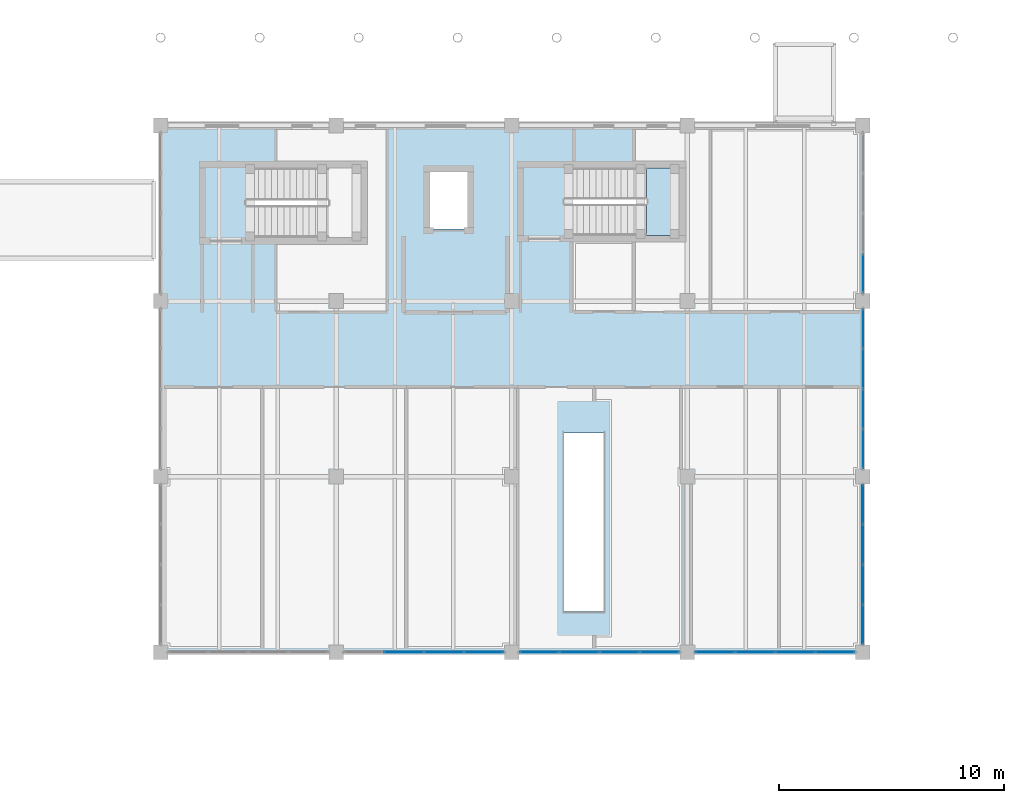
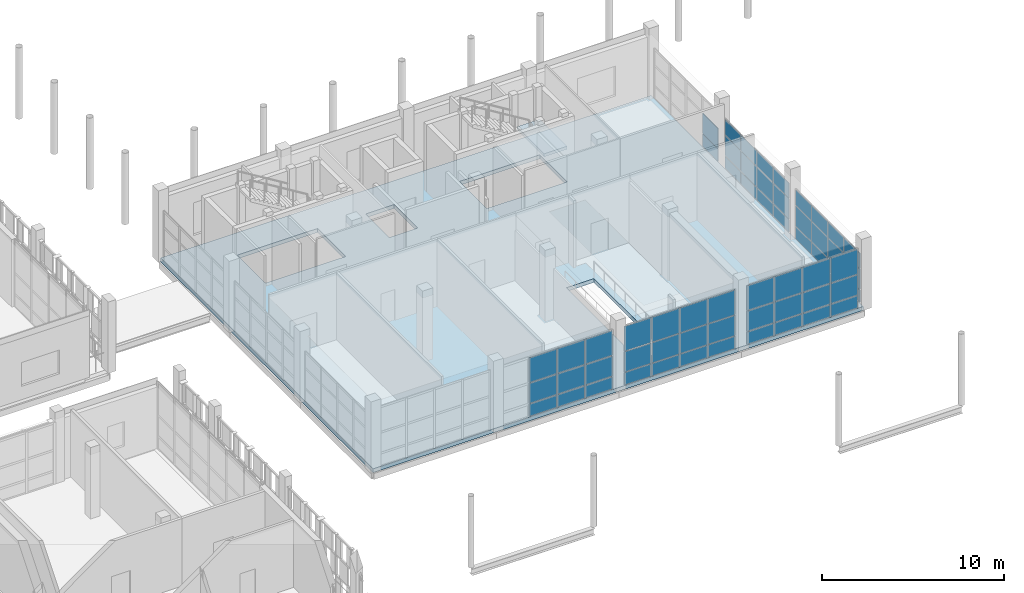
# One storey, part 80 of 138: 59 plates, 2 slabs, 7 elements without a shape of their own.
"""IFC4 building model written with IfcOpenShell, lengths in metres."""

from ifc_helpers import new_model, si_unit, direction, frame, origin, origin_2d, place, context, subcontext, project, spatial, polyline, rectangle, outline, extrude, material, layer, layer_set, type_object, element, aggregate, save


model = new_model("IFC4")

# Units and contexts
model_context = context("Model", 3, precision=1e-05, world=origin(), true_north=direction((0.0, 1.0)))
body_context = subcontext(model_context, "Body", "Model", "MODEL_VIEW")
ifc_project = project(units=[si_unit("LENGTHUNIT", "METRE"), si_unit("AREAUNIT", "SQUARE_METRE"), si_unit("VOLUMEUNIT", "CUBIC_METRE"), si_unit("PLANEANGLEUNIT", "RADIAN"), si_unit("MASSUNIT", "GRAM", prefix="KILO")], contexts=[model_context])

# Site, building, storey
site_placement = place(None, origin())
site = spatial("IfcSite", under=ifc_project, at=site_placement, CompositionType="ELEMENT")
building_placement = place(site_placement, origin())
building = spatial("IfcBuilding", under=site, at=building_placement, Name="Celorna Specialist Clinic", CompositionType="ELEMENT")
storey_placement = place(building_placement, frame((0.0, 0.0, 4.800048828125)))
storey = spatial("IfcBuildingStorey", under=building, at=storey_placement, Name="L01", CompositionType="ELEMENT", Elevation=4.800048828125)

# Curtain wall, plates
ifc_material_1 = material(Name="Thermally broken aluminium and solar-control glass curtain wall", Category="aluminium")
ifc_layer_1 = layer(ifc_material_1, 0.159912109375, Name="Thermally broken aluminium and solar-control glass curtain wall")
ifc_layer_set_1 = layer_set([ifc_layer_1], Name="Thermally broken aluminium and solar-control glass curtain wall")
curtain_wall_type_1 = type_object("IfcCurtainWallType", Name="CW-106", PredefinedType="NOTDEFINED", material=ifc_layer_set_1)
curtain_wall_1_placement = place(storey_placement, origin())
curtain_wall_1 = element("IfcCurtainWall", 1, at=curtain_wall_1_placement, inside=storey, type_object=curtain_wall_type_1, Name="Curtain wall CW-106 #187", PredefinedType="NOTDEFINED")
ifc_material_2 = material(Name="Low-e double glazing", Category="glass")
ifc_layer_2 = layer(ifc_material_2, 0.028076171875, Name="Low-e double glazing")
ifc_layer_set_2 = layer_set([ifc_layer_2], Name="Low-e double glazing")
plate_type_1 = type_object("IfcPlateType", Name="CPN-01", PredefinedType="CURTAIN_PANEL", material=ifc_layer_set_2)
plate_1_placement = place(storey_placement, frame((68.9658203125, 19.5, 0.0498046875), z_axis=(0.0, 0.0, 1.0), x_axis=(-1.0, 0.0, 0.0)))
plate_1 = element("IfcPlate", 2, at=plate_1_placement, type_object=plate_type_1, Name="CW-106 panel 1.1", PredefinedType="CURTAIN_PANEL", context=body_context, shape_type="SweptSolid", body=[
    extrude(rectangle(XDim=1.71044921875, YDim=0.028076171875, at=origin_2d()), origin(), (0.0, 0.0, 1.0), 0.824951171875),
])
plate_2_placement = place(storey_placement, frame((68.9658203125, 19.5, 0.9248046875), z_axis=(0.0, 0.0, 1.0), x_axis=(-1.0, 0.0, 0.0)))
plate_2 = element("IfcPlate", 3, at=plate_2_placement, type_object=plate_type_1, Name="CW-106 panel 1.2", PredefinedType="CURTAIN_PANEL", context=body_context, shape_type="SweptSolid", body=[
    extrude(rectangle(XDim=1.71044921875, YDim=0.028076171875, at=origin_2d()), origin(), (0.0, 0.0, 1.0), 1.35009765625),
])
plate_3_placement = place(storey_placement, frame((68.9658203125, 19.5, 2.324951171875), z_axis=(0.0, 0.0, 1.0), x_axis=(-1.0, 0.0, 0.0)))
plate_3 = element("IfcPlate", 4, at=plate_3_placement, type_object=plate_type_1, Name="CW-106 panel 1.3", PredefinedType="CURTAIN_PANEL", context=body_context, shape_type="SweptSolid", body=[
    extrude(rectangle(XDim=1.71044921875, YDim=0.028076171875, at=origin_2d()), origin(), (0.0, 0.0, 1.0), 1.6650390625),
])
plate_4_placement = place(storey_placement, frame((67.19287109375, 19.5, 0.0498046875), z_axis=(0.0, 0.0, 1.0), x_axis=(-1.0, 0.0, 0.0)))
plate_4 = element("IfcPlate", 5, at=plate_4_placement, type_object=plate_type_1, Name="CW-106 panel 2.1", PredefinedType="CURTAIN_PANEL", context=body_context, shape_type="SweptSolid", body=[
    extrude(rectangle(XDim=1.735595703125, YDim=0.028076171875, at=origin_2d()), origin(), (0.0, 0.0, 1.0), 0.824951171875),
])
plate_5_placement = place(storey_placement, frame((67.19287109375, 19.5, 0.9248046875), z_axis=(0.0, 0.0, 1.0), x_axis=(-1.0, 0.0, 0.0)))
plate_5 = element("IfcPlate", 6, at=plate_5_placement, type_object=plate_type_1, Name="CW-106 panel 2.2", PredefinedType="CURTAIN_PANEL", context=body_context, shape_type="SweptSolid", body=[
    extrude(rectangle(XDim=1.735595703125, YDim=0.028076171875, at=origin_2d()), origin(), (0.0, 0.0, 1.0), 1.35009765625),
])
plate_6_placement = place(storey_placement, frame((67.19287109375, 19.5, 2.324951171875), z_axis=(0.0, 0.0, 1.0), x_axis=(-1.0, 0.0, 0.0)))
plate_6 = element("IfcPlate", 7, at=plate_6_placement, type_object=plate_type_1, Name="CW-106 panel 2.3", PredefinedType="CURTAIN_PANEL", context=body_context, shape_type="SweptSolid", body=[
    extrude(rectangle(XDim=1.735595703125, YDim=0.028076171875, at=origin_2d()), origin(), (0.0, 0.0, 1.0), 1.6650390625),
])
plate_7_placement = place(storey_placement, frame((65.4072265625, 19.5, 0.0498046875), z_axis=(0.0, 0.0, 1.0), x_axis=(-1.0, 0.0, 0.0)))
plate_7 = element("IfcPlate", 8, at=plate_7_placement, type_object=plate_type_1, Name="CW-106 panel 3.1", PredefinedType="CURTAIN_PANEL", context=body_context, shape_type="SweptSolid", body=[
    extrude(rectangle(XDim=1.735595703125, YDim=0.028076171875, at=origin_2d()), origin(), (0.0, 0.0, 1.0), 0.824951171875),
])
plate_8_placement = place(storey_placement, frame((65.4072265625, 19.5, 0.9248046875), z_axis=(0.0, 0.0, 1.0), x_axis=(-1.0, 0.0, 0.0)))
plate_8 = element("IfcPlate", 9, at=plate_8_placement, type_object=plate_type_1, Name="CW-106 panel 3.2", PredefinedType="CURTAIN_PANEL", context=body_context, shape_type="SweptSolid", body=[
    extrude(rectangle(XDim=1.735595703125, YDim=0.028076171875, at=origin_2d()), origin(), (0.0, 0.0, 1.0), 1.35009765625),
])
plate_9_placement = place(storey_placement, frame((65.4072265625, 19.5, 2.324951171875), z_axis=(0.0, 0.0, 1.0), x_axis=(-1.0, 0.0, 0.0)))
plate_9 = element("IfcPlate", 10, at=plate_9_placement, type_object=plate_type_1, Name="CW-106 panel 3.3", PredefinedType="CURTAIN_PANEL", context=body_context, shape_type="SweptSolid", body=[
    extrude(rectangle(XDim=1.735595703125, YDim=0.028076171875, at=origin_2d()), origin(), (0.0, 0.0, 1.0), 1.6650390625),
])
aggregate(curtain_wall_1, [plate_1, plate_2, plate_3, plate_4, plate_5, plate_6, plate_7, plate_8, plate_9])

ifc_layer_3 = layer(ifc_material_1, 0.159912109375, Name="Thermally broken aluminium and solar-control glass curtain wall")
ifc_layer_set_3 = layer_set([ifc_layer_3], Name="Thermally broken aluminium and solar-control glass curtain wall")
curtain_wall_type_2 = type_object("IfcCurtainWallType", Name="CW-109", PredefinedType="NOTDEFINED", material=ifc_layer_set_3)
curtain_wall_2_placement = place(storey_placement, origin())
curtain_wall_2 = element("IfcCurtainWall", 11, at=curtain_wall_2_placement, inside=storey, type_object=curtain_wall_type_2, Name="Curtain wall CW-109 #194", PredefinedType="NOTDEFINED")
plate_10_placement = place(storey_placement, frame((85.800048828125, 33.86572265625, 0.0498046875), z_axis=(0.0, 0.0, 1.0), x_axis=(0.0, -1.0, 0.0)))
plate_10 = element("IfcPlate", 12, at=plate_10_placement, type_object=plate_type_1, Name="CW-109 panel 1.1", PredefinedType="CURTAIN_PANEL", context=body_context, shape_type="SweptSolid", body=[
    extrude(rectangle(XDim=1.71044921875, YDim=0.028076171875, at=origin_2d()), origin(), (0.0, 0.0, 1.0), 0.824951171875),
])
plate_11_placement = place(storey_placement, frame((85.800048828125, 33.86572265625, 0.9248046875), z_axis=(0.0, 0.0, 1.0), x_axis=(0.0, -1.0, 0.0)))
plate_11 = element("IfcPlate", 13, at=plate_11_placement, type_object=plate_type_1, Name="CW-109 panel 1.2", PredefinedType="CURTAIN_PANEL", context=body_context, shape_type="SweptSolid", body=[
    extrude(rectangle(XDim=1.71044921875, YDim=0.028076171875, at=origin_2d()), origin(), (0.0, 0.0, 1.0), 1.35009765625),
])
plate_12_placement = place(storey_placement, frame((85.800048828125, 33.86572265625, 2.3251953125), z_axis=(0.0, 0.0, 1.0), x_axis=(0.0, -1.0, 0.0)))
plate_12 = element("IfcPlate", 14, at=plate_12_placement, type_object=plate_type_1, Name="CW-109 panel 1.3", PredefinedType="CURTAIN_PANEL", context=body_context, shape_type="SweptSolid", body=[
    extrude(rectangle(XDim=1.71044921875, YDim=0.028076171875, at=origin_2d()), origin(), (0.0, 0.0, 1.0), 1.014892578125),
])
plate_13_placement = place(storey_placement, frame((85.800048828125, 32.0927734375, 0.0498046875), z_axis=(0.0, 0.0, 1.0), x_axis=(0.0, -1.0, 0.0)))
plate_13 = element("IfcPlate", 15, at=plate_13_placement, type_object=plate_type_1, Name="CW-109 panel 2.1", PredefinedType="CURTAIN_PANEL", context=body_context, shape_type="SweptSolid", body=[
    extrude(rectangle(XDim=1.735595703125, YDim=0.028076171875, at=origin_2d()), origin(), (0.0, 0.0, 1.0), 0.824951171875),
])
plate_14_placement = place(storey_placement, frame((85.800048828125, 32.0927734375, 0.9248046875), z_axis=(0.0, 0.0, 1.0), x_axis=(0.0, -1.0, 0.0)))
plate_14 = element("IfcPlate", 16, at=plate_14_placement, type_object=plate_type_1, Name="CW-109 panel 2.2", PredefinedType="CURTAIN_PANEL", context=body_context, shape_type="SweptSolid", body=[
    extrude(rectangle(XDim=1.735595703125, YDim=0.028076171875, at=origin_2d()), origin(), (0.0, 0.0, 1.0), 1.35009765625),
])
plate_15_placement = place(storey_placement, frame((85.800048828125, 32.0927734375, 2.3251953125), z_axis=(0.0, 0.0, 1.0), x_axis=(0.0, -1.0, 0.0)))
plate_15 = element("IfcPlate", 17, at=plate_15_placement, type_object=plate_type_1, Name="CW-109 panel 2.3", PredefinedType="CURTAIN_PANEL", context=body_context, shape_type="SweptSolid", body=[
    extrude(rectangle(XDim=1.735595703125, YDim=0.028076171875, at=origin_2d()), origin(), (0.0, 0.0, 1.0), 1.014892578125),
])
plate_16_placement = place(storey_placement, frame((85.800048828125, 30.30712890625, 0.0498046875), z_axis=(0.0, 0.0, 1.0), x_axis=(0.0, -1.0, 0.0)))
plate_16 = element("IfcPlate", 18, at=plate_16_placement, type_object=plate_type_1, Name="CW-109 panel 3.1", PredefinedType="CURTAIN_PANEL", context=body_context, shape_type="SweptSolid", body=[
    extrude(rectangle(XDim=1.735595703125, YDim=0.028076171875, at=origin_2d()), origin(), (0.0, 0.0, 1.0), 0.824951171875),
])
plate_17_placement = place(storey_placement, frame((85.800048828125, 30.30712890625, 0.9248046875), z_axis=(0.0, 0.0, 1.0), x_axis=(0.0, -1.0, 0.0)))
plate_17 = element("IfcPlate", 19, at=plate_17_placement, type_object=plate_type_1, Name="CW-109 panel 3.2", PredefinedType="CURTAIN_PANEL", context=body_context, shape_type="SweptSolid", body=[
    extrude(rectangle(XDim=1.735595703125, YDim=0.028076171875, at=origin_2d()), origin(), (0.0, 0.0, 1.0), 1.35009765625),
])
plate_18_placement = place(storey_placement, frame((85.800048828125, 30.30712890625, 2.3251953125), z_axis=(0.0, 0.0, 1.0), x_axis=(0.0, -1.0, 0.0)))
plate_18 = element("IfcPlate", 20, at=plate_18_placement, type_object=plate_type_1, Name="CW-109 panel 3.3", PredefinedType="CURTAIN_PANEL", context=body_context, shape_type="SweptSolid", body=[
    extrude(rectangle(XDim=1.735595703125, YDim=0.028076171875, at=origin_2d()), origin(), (0.0, 0.0, 1.0), 1.014892578125),
])
plate_19_placement = place(storey_placement, frame((85.800048828125, 28.5341796875, 0.0498046875), z_axis=(0.0, 0.0, 1.0), x_axis=(0.0, -1.0, 0.0)))
plate_19 = element("IfcPlate", 21, at=plate_19_placement, type_object=plate_type_1, Name="CW-109 panel 4.1", PredefinedType="CURTAIN_PANEL", context=body_context, shape_type="SweptSolid", body=[
    extrude(rectangle(XDim=1.71044921875, YDim=0.028076171875, at=origin_2d()), origin(), (0.0, 0.0, 1.0), 0.824951171875),
])
plate_20_placement = place(storey_placement, frame((85.800048828125, 28.5341796875, 0.9248046875), z_axis=(0.0, 0.0, 1.0), x_axis=(0.0, -1.0, 0.0)))
plate_20 = element("IfcPlate", 22, at=plate_20_placement, type_object=plate_type_1, Name="CW-109 panel 4.2", PredefinedType="CURTAIN_PANEL", context=body_context, shape_type="SweptSolid", body=[
    extrude(rectangle(XDim=1.71044921875, YDim=0.028076171875, at=origin_2d()), origin(), (0.0, 0.0, 1.0), 1.35009765625),
])
plate_21_placement = place(storey_placement, frame((85.800048828125, 28.5341796875, 2.3251953125), z_axis=(0.0, 0.0, 1.0), x_axis=(0.0, -1.0, 0.0)))
plate_21 = element("IfcPlate", 23, at=plate_21_placement, type_object=plate_type_1, Name="CW-109 panel 4.3", PredefinedType="CURTAIN_PANEL", context=body_context, shape_type="SweptSolid", body=[
    extrude(rectangle(XDim=1.71044921875, YDim=0.028076171875, at=origin_2d()), origin(), (0.0, 0.0, 1.0), 1.014892578125),
])
aggregate(curtain_wall_2, [plate_10, plate_11, plate_12, plate_13, plate_14, plate_15, plate_16, plate_17, plate_18, plate_19, plate_20, plate_21])

ifc_layer_4 = layer(ifc_material_1, 0.159912109375, Name="Thermally broken aluminium and solar-control glass curtain wall")
ifc_layer_set_4 = layer_set([ifc_layer_4], Name="Thermally broken aluminium and solar-control glass curtain wall")
curtain_wall_type_3 = type_object("IfcCurtainWallType", Name="CW-107", PredefinedType="NOTDEFINED", material=ifc_layer_set_4)
curtain_wall_3_placement = place(storey_placement, origin())
curtain_wall_3 = element("IfcCurtainWall", 24, at=curtain_wall_3_placement, inside=storey, type_object=curtain_wall_type_3, Name="Curtain wall CW-107 #188", PredefinedType="NOTDEFINED")
ifc_material_3 = material(Name="Solar-control triple glazing", Category="glass")
ifc_layer_5 = layer(ifc_material_3, 0.035888671875, Name="Solar-control triple glazing")
ifc_layer_set_5 = layer_set([ifc_layer_5], Name="Solar-control triple glazing")
plate_type_2 = type_object("IfcPlateType", Name="CPN-02", PredefinedType="CURTAIN_PANEL", material=ifc_layer_set_5)
plate_22_placement = place(storey_placement, frame((76.765869140625, 19.5, 0.0498046875), z_axis=(0.0, 0.0, 1.0), x_axis=(-1.0, 0.0, 0.0)))
plate_22 = element("IfcPlate", 25, at=plate_22_placement, type_object=plate_type_2, Name="CW-107 panel 1.1", PredefinedType="CURTAIN_PANEL", context=body_context, shape_type="SweptSolid", body=[
    extrude(rectangle(XDim=1.71044921875, YDim=0.035888671875, at=origin_2d()), origin(), (0.0, 0.0, 1.0), 0.824951171875),
])
plate_23_placement = place(storey_placement, frame((76.765869140625, 19.5, 0.9248046875), z_axis=(0.0, 0.0, 1.0), x_axis=(-1.0, 0.0, 0.0)))
plate_23 = element("IfcPlate", 26, at=plate_23_placement, type_object=plate_type_2, Name="CW-107 panel 1.2", PredefinedType="CURTAIN_PANEL", context=body_context, shape_type="SweptSolid", body=[
    extrude(rectangle(XDim=1.71044921875, YDim=0.035888671875, at=origin_2d()), origin(), (0.0, 0.0, 1.0), 1.35009765625),
])
plate_24_placement = place(storey_placement, frame((76.765869140625, 19.5, 2.324951171875), z_axis=(0.0, 0.0, 1.0), x_axis=(-1.0, 0.0, 0.0)))
plate_24 = element("IfcPlate", 27, at=plate_24_placement, type_object=plate_type_2, Name="CW-107 panel 1.3", PredefinedType="CURTAIN_PANEL", context=body_context, shape_type="SweptSolid", body=[
    extrude(rectangle(XDim=1.71044921875, YDim=0.035888671875, at=origin_2d()), origin(), (0.0, 0.0, 1.0), 1.6650390625),
])
plate_25_placement = place(storey_placement, frame((74.99267578125, 19.5, 0.0498046875), z_axis=(0.0, 0.0, 1.0), x_axis=(-1.0, 0.0, 0.0)))
plate_25 = element("IfcPlate", 28, at=plate_25_placement, type_object=plate_type_2, Name="CW-107 panel 2.1", PredefinedType="CURTAIN_PANEL", context=body_context, shape_type="SweptSolid", body=[
    extrude(rectangle(XDim=1.735595703125, YDim=0.035888671875, at=origin_2d()), origin(), (0.0, 0.0, 1.0), 0.824951171875),
])
plate_26_placement = place(storey_placement, frame((74.99267578125, 19.5, 0.9248046875), z_axis=(0.0, 0.0, 1.0), x_axis=(-1.0, 0.0, 0.0)))
plate_26 = element("IfcPlate", 29, at=plate_26_placement, type_object=plate_type_2, Name="CW-107 panel 2.2", PredefinedType="CURTAIN_PANEL", context=body_context, shape_type="SweptSolid", body=[
    extrude(rectangle(XDim=1.735595703125, YDim=0.035888671875, at=origin_2d()), origin(), (0.0, 0.0, 1.0), 1.35009765625),
])
plate_27_placement = place(storey_placement, frame((74.99267578125, 19.5, 2.324951171875), z_axis=(0.0, 0.0, 1.0), x_axis=(-1.0, 0.0, 0.0)))
plate_27 = element("IfcPlate", 30, at=plate_27_placement, type_object=plate_type_2, Name="CW-107 panel 2.3", PredefinedType="CURTAIN_PANEL", context=body_context, shape_type="SweptSolid", body=[
    extrude(rectangle(XDim=1.735595703125, YDim=0.035888671875, at=origin_2d()), origin(), (0.0, 0.0, 1.0), 1.6650390625),
])
plate_28_placement = place(storey_placement, frame((73.207275390625, 19.5, 0.0498046875), z_axis=(0.0, 0.0, 1.0), x_axis=(-1.0, 0.0, 0.0)))
plate_28 = element("IfcPlate", 31, at=plate_28_placement, type_object=plate_type_2, Name="CW-107 panel 3.1", PredefinedType="CURTAIN_PANEL", context=body_context, shape_type="SweptSolid", body=[
    extrude(rectangle(XDim=1.735595703125, YDim=0.035888671875, at=origin_2d()), origin(), (0.0, 0.0, 1.0), 0.824951171875),
])
plate_29_placement = place(storey_placement, frame((73.207275390625, 19.5, 0.9248046875), z_axis=(0.0, 0.0, 1.0), x_axis=(-1.0, 0.0, 0.0)))
plate_29 = element("IfcPlate", 32, at=plate_29_placement, type_object=plate_type_2, Name="CW-107 panel 3.2", PredefinedType="CURTAIN_PANEL", context=body_context, shape_type="SweptSolid", body=[
    extrude(rectangle(XDim=1.735595703125, YDim=0.035888671875, at=origin_2d()), origin(), (0.0, 0.0, 1.0), 1.35009765625),
])
plate_30_placement = place(storey_placement, frame((73.207275390625, 19.5, 2.324951171875), z_axis=(0.0, 0.0, 1.0), x_axis=(-1.0, 0.0, 0.0)))
plate_30 = element("IfcPlate", 33, at=plate_30_placement, type_object=plate_type_2, Name="CW-107 panel 3.3", PredefinedType="CURTAIN_PANEL", context=body_context, shape_type="SweptSolid", body=[
    extrude(rectangle(XDim=1.735595703125, YDim=0.035888671875, at=origin_2d()), origin(), (0.0, 0.0, 1.0), 1.6650390625),
])
plate_31_placement = place(storey_placement, frame((71.434326171875, 19.5, 0.0498046875), z_axis=(0.0, 0.0, 1.0), x_axis=(-1.0, 0.0, 0.0)))
plate_31 = element("IfcPlate", 34, at=plate_31_placement, type_object=plate_type_2, Name="CW-107 panel 4.1", PredefinedType="CURTAIN_PANEL", context=body_context, shape_type="SweptSolid", body=[
    extrude(rectangle(XDim=1.71044921875, YDim=0.035888671875, at=origin_2d()), origin(), (0.0, 0.0, 1.0), 0.824951171875),
])
plate_32_placement = place(storey_placement, frame((71.434326171875, 19.5, 0.9248046875), z_axis=(0.0, 0.0, 1.0), x_axis=(-1.0, 0.0, 0.0)))
plate_32 = element("IfcPlate", 35, at=plate_32_placement, type_object=plate_type_2, Name="CW-107 panel 4.2", PredefinedType="CURTAIN_PANEL", context=body_context, shape_type="SweptSolid", body=[
    extrude(rectangle(XDim=1.71044921875, YDim=0.035888671875, at=origin_2d()), origin(), (0.0, 0.0, 1.0), 1.35009765625),
])
plate_33_placement = place(storey_placement, frame((71.434326171875, 19.5, 2.324951171875), z_axis=(0.0, 0.0, 1.0), x_axis=(-1.0, 0.0, 0.0)))
plate_33 = element("IfcPlate", 36, at=plate_33_placement, type_object=plate_type_2, Name="CW-107 panel 4.3", PredefinedType="CURTAIN_PANEL", context=body_context, shape_type="SweptSolid", body=[
    extrude(rectangle(XDim=1.71044921875, YDim=0.035888671875, at=origin_2d()), origin(), (0.0, 0.0, 1.0), 1.6650390625),
])
aggregate(curtain_wall_3, [plate_22, plate_23, plate_24, plate_25, plate_26, plate_27, plate_28, plate_29, plate_30, plate_31, plate_32, plate_33])

ifc_layer_6 = layer(ifc_material_1, 0.159912109375, Name="Thermally broken aluminium and solar-control glass curtain wall")
ifc_layer_set_6 = layer_set([ifc_layer_6], Name="Thermally broken aluminium and solar-control glass curtain wall")
curtain_wall_type_4 = type_object("IfcCurtainWallType", Name="CW-110", PredefinedType="NOTDEFINED", material=ifc_layer_set_6)
curtain_wall_4_placement = place(storey_placement, origin())
curtain_wall_4 = element("IfcCurtainWall", 37, at=curtain_wall_4_placement, inside=storey, type_object=curtain_wall_type_4, Name="Curtain wall CW-110 #195", PredefinedType="NOTDEFINED")
plate_34_placement = place(storey_placement, frame((85.800048828125, 36.334228515625, 0.0498046875), z_axis=(0.0, 0.0, 1.0), x_axis=(0.0, -1.0, 0.0)))
plate_34 = element("IfcPlate", 38, at=plate_34_placement, type_object=plate_type_2, Name="CW-110 panel 4.1", PredefinedType="CURTAIN_PANEL", context=body_context, shape_type="SweptSolid", body=[
    extrude(rectangle(XDim=1.71044921875, YDim=0.035888671875, at=origin_2d()), origin(), (0.0, 0.0, 1.0), 0.824951171875),
])
plate_35_placement = place(storey_placement, frame((85.800048828125, 36.334228515625, 0.9248046875), z_axis=(0.0, 0.0, 1.0), x_axis=(0.0, -1.0, 0.0)))
plate_35 = element("IfcPlate", 39, at=plate_35_placement, type_object=plate_type_2, Name="CW-110 panel 4.2", PredefinedType="CURTAIN_PANEL", context=body_context, shape_type="SweptSolid", body=[
    extrude(rectangle(XDim=1.71044921875, YDim=0.035888671875, at=origin_2d()), origin(), (0.0, 0.0, 1.0), 1.35009765625),
])
aggregate(curtain_wall_4, [plate_34, plate_35])

ifc_layer_7 = layer(ifc_material_1, 0.159912109375, Name="Thermally broken aluminium and solar-control glass curtain wall")
ifc_layer_set_7 = layer_set([ifc_layer_7], Name="Thermally broken aluminium and solar-control glass curtain wall")
curtain_wall_type_5 = type_object("IfcCurtainWallType", Name="CW-105", PredefinedType="NOTDEFINED", material=ifc_layer_set_7)
curtain_wall_5_placement = place(storey_placement, origin())
curtain_wall_5 = element("IfcCurtainWall", 40, at=curtain_wall_5_placement, inside=storey, type_object=curtain_wall_type_5, Name="Curtain wall CW-105 #189", PredefinedType="NOTDEFINED")
ifc_material_4 = material(Name="Glazed polychrome ceramic insulated spandrel")
ifc_layer_8 = layer(ifc_material_4, 0.0439453125, Name="Glazed polychrome ceramic insulated spandrel")
ifc_layer_set_8 = layer_set([ifc_layer_8], Name="Glazed polychrome ceramic insulated spandrel")
plate_type_3 = type_object("IfcPlateType", Name="CPN-03", PredefinedType="CURTAIN_PANEL", material=ifc_layer_set_8)
plate_36_placement = place(storey_placement, frame((84.565673828125, 19.5, 0.0498046875), z_axis=(0.0, 0.0, 1.0), x_axis=(-1.0, 0.0, 0.0)))
plate_36 = element("IfcPlate", 41, at=plate_36_placement, type_object=plate_type_3, Name="CW-105 panel 1.1", PredefinedType="CURTAIN_PANEL", context=body_context, shape_type="SweptSolid", body=[
    extrude(rectangle(XDim=1.71044921875, YDim=0.0439453125, at=origin_2d()), origin(), (0.0, 0.0, 1.0), 0.824951171875),
])
plate_37_placement = place(storey_placement, frame((84.565673828125, 19.5, 0.9248046875), z_axis=(0.0, 0.0, 1.0), x_axis=(-1.0, 0.0, 0.0)))
plate_37 = element("IfcPlate", 42, at=plate_37_placement, type_object=plate_type_3, Name="CW-105 panel 1.2", PredefinedType="CURTAIN_PANEL", context=body_context, shape_type="SweptSolid", body=[
    extrude(rectangle(XDim=1.71044921875, YDim=0.0439453125, at=origin_2d()), origin(), (0.0, 0.0, 1.0), 1.35009765625),
])
plate_38_placement = place(storey_placement, frame((84.565673828125, 19.5, 2.324951171875), z_axis=(0.0, 0.0, 1.0), x_axis=(-1.0, 0.0, 0.0)))
plate_38 = element("IfcPlate", 43, at=plate_38_placement, type_object=plate_type_3, Name="CW-105 panel 1.3", PredefinedType="CURTAIN_PANEL", context=body_context, shape_type="SweptSolid", body=[
    extrude(rectangle(XDim=1.71044921875, YDim=0.0439453125, at=origin_2d()), origin(), (0.0, 0.0, 1.0), 1.6650390625),
])
plate_39_placement = place(storey_placement, frame((82.792724609375, 19.5, 0.0498046875), z_axis=(0.0, 0.0, 1.0), x_axis=(-1.0, 0.0, 0.0)))
plate_39 = element("IfcPlate", 44, at=plate_39_placement, type_object=plate_type_3, Name="CW-105 panel 2.1", PredefinedType="CURTAIN_PANEL", context=body_context, shape_type="SweptSolid", body=[
    extrude(rectangle(XDim=1.735595703125, YDim=0.0439453125, at=origin_2d()), origin(), (0.0, 0.0, 1.0), 0.824951171875),
])
plate_40_placement = place(storey_placement, frame((82.792724609375, 19.5, 0.9248046875), z_axis=(0.0, 0.0, 1.0), x_axis=(-1.0, 0.0, 0.0)))
plate_40 = element("IfcPlate", 45, at=plate_40_placement, type_object=plate_type_3, Name="CW-105 panel 2.2", PredefinedType="CURTAIN_PANEL", context=body_context, shape_type="SweptSolid", body=[
    extrude(rectangle(XDim=1.735595703125, YDim=0.0439453125, at=origin_2d()), origin(), (0.0, 0.0, 1.0), 1.35009765625),
])
plate_41_placement = place(storey_placement, frame((82.792724609375, 19.5, 2.324951171875), z_axis=(0.0, 0.0, 1.0), x_axis=(-1.0, 0.0, 0.0)))
plate_41 = element("IfcPlate", 46, at=plate_41_placement, type_object=plate_type_3, Name="CW-105 panel 2.3", PredefinedType="CURTAIN_PANEL", context=body_context, shape_type="SweptSolid", body=[
    extrude(rectangle(XDim=1.735595703125, YDim=0.0439453125, at=origin_2d()), origin(), (0.0, 0.0, 1.0), 1.6650390625),
])
plate_42_placement = place(storey_placement, frame((81.00732421875, 19.5, 0.0498046875), z_axis=(0.0, 0.0, 1.0), x_axis=(-1.0, 0.0, 0.0)))
plate_42 = element("IfcPlate", 47, at=plate_42_placement, type_object=plate_type_3, Name="CW-105 panel 3.1", PredefinedType="CURTAIN_PANEL", context=body_context, shape_type="SweptSolid", body=[
    extrude(rectangle(XDim=1.735595703125, YDim=0.0439453125, at=origin_2d()), origin(), (0.0, 0.0, 1.0), 0.824951171875),
])
plate_43_placement = place(storey_placement, frame((81.00732421875, 19.5, 0.9248046875), z_axis=(0.0, 0.0, 1.0), x_axis=(-1.0, 0.0, 0.0)))
plate_43 = element("IfcPlate", 48, at=plate_43_placement, type_object=plate_type_3, Name="CW-105 panel 3.2", PredefinedType="CURTAIN_PANEL", context=body_context, shape_type="SweptSolid", body=[
    extrude(rectangle(XDim=1.735595703125, YDim=0.0439453125, at=origin_2d()), origin(), (0.0, 0.0, 1.0), 1.35009765625),
])
plate_44_placement = place(storey_placement, frame((81.00732421875, 19.5, 2.324951171875), z_axis=(0.0, 0.0, 1.0), x_axis=(-1.0, 0.0, 0.0)))
plate_44 = element("IfcPlate", 49, at=plate_44_placement, type_object=plate_type_3, Name="CW-105 panel 3.3", PredefinedType="CURTAIN_PANEL", context=body_context, shape_type="SweptSolid", body=[
    extrude(rectangle(XDim=1.735595703125, YDim=0.0439453125, at=origin_2d()), origin(), (0.0, 0.0, 1.0), 1.6650390625),
])
plate_45_placement = place(storey_placement, frame((79.234130859375, 19.5, 0.0498046875), z_axis=(0.0, 0.0, 1.0), x_axis=(-1.0, 0.0, 0.0)))
plate_45 = element("IfcPlate", 50, at=plate_45_placement, type_object=plate_type_3, Name="CW-105 panel 4.1", PredefinedType="CURTAIN_PANEL", context=body_context, shape_type="SweptSolid", body=[
    extrude(rectangle(XDim=1.71044921875, YDim=0.0439453125, at=origin_2d()), origin(), (0.0, 0.0, 1.0), 0.824951171875),
])
plate_46_placement = place(storey_placement, frame((79.234130859375, 19.5, 0.9248046875), z_axis=(0.0, 0.0, 1.0), x_axis=(-1.0, 0.0, 0.0)))
plate_46 = element("IfcPlate", 51, at=plate_46_placement, type_object=plate_type_3, Name="CW-105 panel 4.2", PredefinedType="CURTAIN_PANEL", context=body_context, shape_type="SweptSolid", body=[
    extrude(rectangle(XDim=1.71044921875, YDim=0.0439453125, at=origin_2d()), origin(), (0.0, 0.0, 1.0), 1.35009765625),
])
plate_47_placement = place(storey_placement, frame((79.234130859375, 19.5, 2.324951171875), z_axis=(0.0, 0.0, 1.0), x_axis=(-1.0, 0.0, 0.0)))
plate_47 = element("IfcPlate", 52, at=plate_47_placement, type_object=plate_type_3, Name="CW-105 panel 4.3", PredefinedType="CURTAIN_PANEL", context=body_context, shape_type="SweptSolid", body=[
    extrude(rectangle(XDim=1.71044921875, YDim=0.0439453125, at=origin_2d()), origin(), (0.0, 0.0, 1.0), 1.6650390625),
])
aggregate(curtain_wall_5, [plate_36, plate_37, plate_38, plate_39, plate_40, plate_41, plate_42, plate_43, plate_44, plate_45, plate_46, plate_47])

ifc_layer_9 = layer(ifc_material_1, 0.159912109375, Name="Thermally broken aluminium and solar-control glass curtain wall")
ifc_layer_set_9 = layer_set([ifc_layer_9], Name="Thermally broken aluminium and solar-control glass curtain wall")
curtain_wall_type_6 = type_object("IfcCurtainWallType", Name="CW-108", PredefinedType="NOTDEFINED", material=ifc_layer_set_9)
curtain_wall_6_placement = place(storey_placement, origin())
curtain_wall_6 = element("IfcCurtainWall", 53, at=curtain_wall_6_placement, inside=storey, type_object=curtain_wall_type_6, Name="Curtain wall CW-108 #193", PredefinedType="NOTDEFINED")
plate_48_placement = place(storey_placement, frame((85.800048828125, 26.065673828125, 0.0498046875), z_axis=(0.0, 0.0, 1.0), x_axis=(0.0, -1.0, 0.0)))
plate_48 = element("IfcPlate", 54, at=plate_48_placement, type_object=plate_type_3, Name="CW-108 panel 1.1", PredefinedType="CURTAIN_PANEL", context=body_context, shape_type="SweptSolid", body=[
    extrude(rectangle(XDim=1.71044921875, YDim=0.0439453125, at=origin_2d()), origin(), (0.0, 0.0, 1.0), 0.824951171875),
])
plate_49_placement = place(storey_placement, frame((85.800048828125, 26.065673828125, 0.9248046875), z_axis=(0.0, 0.0, 1.0), x_axis=(0.0, -1.0, 0.0)))
plate_49 = element("IfcPlate", 55, at=plate_49_placement, type_object=plate_type_3, Name="CW-108 panel 1.2", PredefinedType="CURTAIN_PANEL", context=body_context, shape_type="SweptSolid", body=[
    extrude(rectangle(XDim=1.71044921875, YDim=0.0439453125, at=origin_2d()), origin(), (0.0, 0.0, 1.0), 1.35009765625),
])
plate_50_placement = place(storey_placement, frame((85.800048828125, 26.065673828125, 2.3251953125), z_axis=(0.0, 0.0, 1.0), x_axis=(0.0, -1.0, 0.0)))
plate_50 = element("IfcPlate", 56, at=plate_50_placement, type_object=plate_type_3, Name="CW-108 panel 1.3", PredefinedType="CURTAIN_PANEL", context=body_context, shape_type="SweptSolid", body=[
    extrude(rectangle(XDim=1.71044921875, YDim=0.0439453125, at=origin_2d()), origin(), (0.0, 0.0, 1.0), 1.014892578125),
])
plate_51_placement = place(storey_placement, frame((85.800048828125, 24.292724609375, 0.0498046875), z_axis=(0.0, 0.0, 1.0), x_axis=(0.0, -1.0, 0.0)))
plate_51 = element("IfcPlate", 57, at=plate_51_placement, type_object=plate_type_3, Name="CW-108 panel 2.1", PredefinedType="CURTAIN_PANEL", context=body_context, shape_type="SweptSolid", body=[
    extrude(rectangle(XDim=1.735595703125, YDim=0.0439453125, at=origin_2d()), origin(), (0.0, 0.0, 1.0), 0.824951171875),
])
plate_52_placement = place(storey_placement, frame((85.800048828125, 24.292724609375, 0.9248046875), z_axis=(0.0, 0.0, 1.0), x_axis=(0.0, -1.0, 0.0)))
plate_52 = element("IfcPlate", 58, at=plate_52_placement, type_object=plate_type_3, Name="CW-108 panel 2.2", PredefinedType="CURTAIN_PANEL", context=body_context, shape_type="SweptSolid", body=[
    extrude(rectangle(XDim=1.735595703125, YDim=0.0439453125, at=origin_2d()), origin(), (0.0, 0.0, 1.0), 1.35009765625),
])
plate_53_placement = place(storey_placement, frame((85.800048828125, 24.292724609375, 2.3251953125), z_axis=(0.0, 0.0, 1.0), x_axis=(0.0, -1.0, 0.0)))
plate_53 = element("IfcPlate", 59, at=plate_53_placement, type_object=plate_type_3, Name="CW-108 panel 2.3", PredefinedType="CURTAIN_PANEL", context=body_context, shape_type="SweptSolid", body=[
    extrude(rectangle(XDim=1.735595703125, YDim=0.0439453125, at=origin_2d()), origin(), (0.0, 0.0, 1.0), 1.014892578125),
])
plate_54_placement = place(storey_placement, frame((85.800048828125, 22.50732421875, 0.0498046875), z_axis=(0.0, 0.0, 1.0), x_axis=(0.0, -1.0, 0.0)))
plate_54 = element("IfcPlate", 60, at=plate_54_placement, type_object=plate_type_3, Name="CW-108 panel 3.1", PredefinedType="CURTAIN_PANEL", context=body_context, shape_type="SweptSolid", body=[
    extrude(rectangle(XDim=1.735595703125, YDim=0.0439453125, at=origin_2d()), origin(), (0.0, 0.0, 1.0), 0.824951171875),
])
plate_55_placement = place(storey_placement, frame((85.800048828125, 22.50732421875, 0.9248046875), z_axis=(0.0, 0.0, 1.0), x_axis=(0.0, -1.0, 0.0)))
plate_55 = element("IfcPlate", 61, at=plate_55_placement, type_object=plate_type_3, Name="CW-108 panel 3.2", PredefinedType="CURTAIN_PANEL", context=body_context, shape_type="SweptSolid", body=[
    extrude(rectangle(XDim=1.735595703125, YDim=0.0439453125, at=origin_2d()), origin(), (0.0, 0.0, 1.0), 1.35009765625),
])
plate_56_placement = place(storey_placement, frame((85.800048828125, 22.50732421875, 2.3251953125), z_axis=(0.0, 0.0, 1.0), x_axis=(0.0, -1.0, 0.0)))
plate_56 = element("IfcPlate", 62, at=plate_56_placement, type_object=plate_type_3, Name="CW-108 panel 3.3", PredefinedType="CURTAIN_PANEL", context=body_context, shape_type="SweptSolid", body=[
    extrude(rectangle(XDim=1.735595703125, YDim=0.0439453125, at=origin_2d()), origin(), (0.0, 0.0, 1.0), 1.014892578125),
])
plate_57_placement = place(storey_placement, frame((85.800048828125, 20.734130859375, 0.0498046875), z_axis=(0.0, 0.0, 1.0), x_axis=(0.0, -1.0, 0.0)))
plate_57 = element("IfcPlate", 63, at=plate_57_placement, type_object=plate_type_3, Name="CW-108 panel 4.1", PredefinedType="CURTAIN_PANEL", context=body_context, shape_type="SweptSolid", body=[
    extrude(rectangle(XDim=1.71044921875, YDim=0.0439453125, at=origin_2d()), origin(), (0.0, 0.0, 1.0), 0.824951171875),
])
plate_58_placement = place(storey_placement, frame((85.800048828125, 20.734130859375, 0.9248046875), z_axis=(0.0, 0.0, 1.0), x_axis=(0.0, -1.0, 0.0)))
plate_58 = element("IfcPlate", 64, at=plate_58_placement, type_object=plate_type_3, Name="CW-108 panel 4.2", PredefinedType="CURTAIN_PANEL", context=body_context, shape_type="SweptSolid", body=[
    extrude(rectangle(XDim=1.71044921875, YDim=0.0439453125, at=origin_2d()), origin(), (0.0, 0.0, 1.0), 1.35009765625),
])
plate_59_placement = place(storey_placement, frame((85.800048828125, 20.734130859375, 2.3251953125), z_axis=(0.0, 0.0, 1.0), x_axis=(0.0, -1.0, 0.0)))
plate_59 = element("IfcPlate", 65, at=plate_59_placement, type_object=plate_type_3, Name="CW-108 panel 4.3", PredefinedType="CURTAIN_PANEL", context=body_context, shape_type="SweptSolid", body=[
    extrude(rectangle(XDim=1.71044921875, YDim=0.0439453125, at=origin_2d()), origin(), (0.0, 0.0, 1.0), 1.014892578125),
])
aggregate(curtain_wall_6, [plate_48, plate_49, plate_50, plate_51, plate_52, plate_53, plate_54, plate_55, plate_56, plate_57, plate_58, plate_59])

# Slab
ifc_material_5 = material(Name="Concrete C35/45", Category="concrete")
ifc_layer_10 = layer(ifc_material_5, 0.260009765625, Name="Concrete C35/45")
ifc_layer_set_10 = layer_set([ifc_layer_10], Name="Concrete C35/45")
slab_type_1 = type_object("IfcSlabType", Name="SL-08", PredefinedType="FLOOR", material=ifc_layer_set_10)
slab_1_placement = place(storey_placement, frame((0.0, 0.0, -0.260009765625)))
element("IfcSlab", 66, at=slab_1_placement, inside=storey, type_object=slab_type_1, Name="V6 L01 structural slab SL-08", PredefinedType="FLOOR", context=body_context, shape_type="SweptSolid", body=[
    extrude(outline(polyline([(85.800048828125, 19.5), (85.800048828125, 42.89990234375), (54.60009765625, 42.89990234375), (54.60009765625, 19.5), (85.800048828125, 19.5)]), holes=[polyline([(58.39990234375, 37.919921875), (63.5, 37.919921875), (63.5, 41.02001953125), (58.39990234375, 41.02001953125), (58.39990234375, 37.919921875)]), polyline([(72.5400390625, 38.02001953125), (77.639892578125, 38.02001953125), (77.639892578125, 41.02001953125), (72.5400390625, 41.02001953125), (72.5400390625, 38.02001953125)]), polyline([(72.52001953125, 21.300048828125), (74.280029296875, 21.300048828125), (74.280029296875, 29.235107421875), (72.52001953125, 29.235107421875), (72.52001953125, 21.300048828125)]), polyline([(66.4951171875, 38.294921875), (68.304931640625, 38.294921875), (68.304931640625, 40.905029296875), (66.4951171875, 40.905029296875), (66.4951171875, 38.294921875)])]), origin(), (0.0, 0.0, 1.0), 0.260009765625),
])

# Stair, slab
stair_type = type_object("IfcStairType", Name="ST-03", PredefinedType="HALF_TURN_STAIR", material=ifc_material_5)
stair_placement = place(storey_placement, origin())
stair = element("IfcStair", 67, at=stair_placement, inside=storey, type_object=stair_type, Name="L01 Protected exit stair ST-09", PredefinedType="HALF_TURN_STAIR")
ifc_layer_11 = layer(ifc_material_5, 0.199951171875, Name="Concrete C35/45")
ifc_layer_set_11 = layer_set([ifc_layer_11], Name="Concrete C35/45")
slab_type_2 = type_object("IfcSlabType", Name="SL-11", PredefinedType="LANDING", material=ifc_layer_set_11)
slab_2_placement = place(storey_placement, frame((0.0, 0.0, 2.199951171875)))
slab_2 = element("IfcSlab", 68, at=slab_2_placement, type_object=slab_type_2, Name="ST-09 landing 1", PredefinedType="LANDING", context=body_context, shape_type="SweptSolid", body=[
    extrude(outline(polyline([(76.179931640625, 38.02001953125), (77.639892578125, 38.02001953125), (77.639892578125, 41.02001953125), (76.179931640625, 41.02001953125), (76.179931640625, 38.02001953125)])), origin(), (0.0, 0.0, 1.0), 0.199951171875),
])
aggregate(stair, [slab_2])

save(model, "model.ifc")
